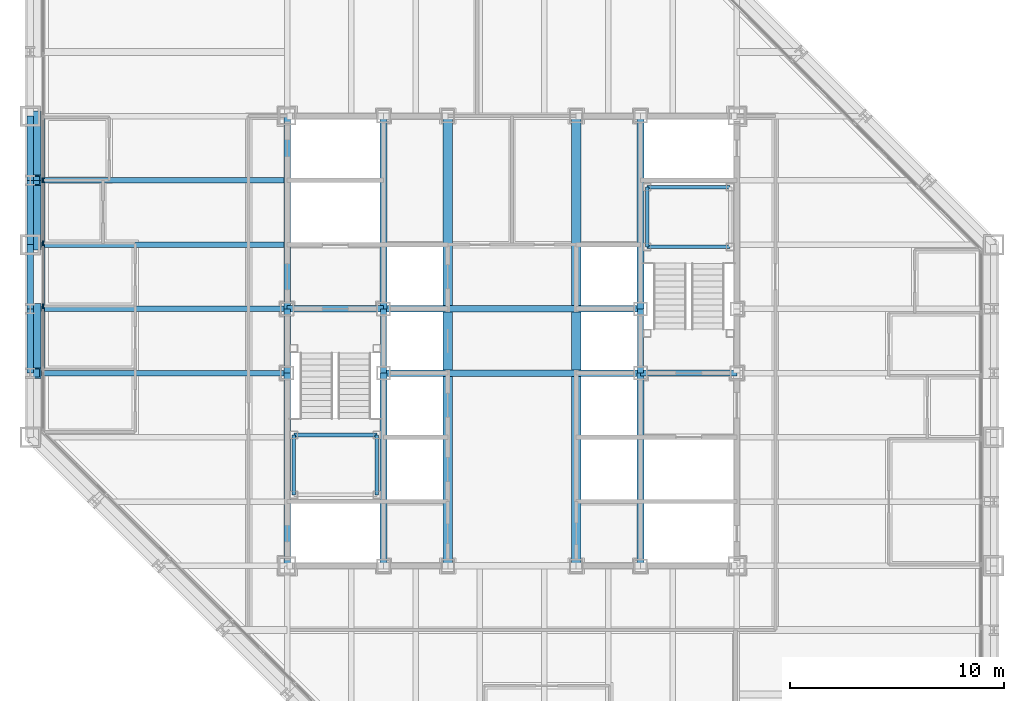
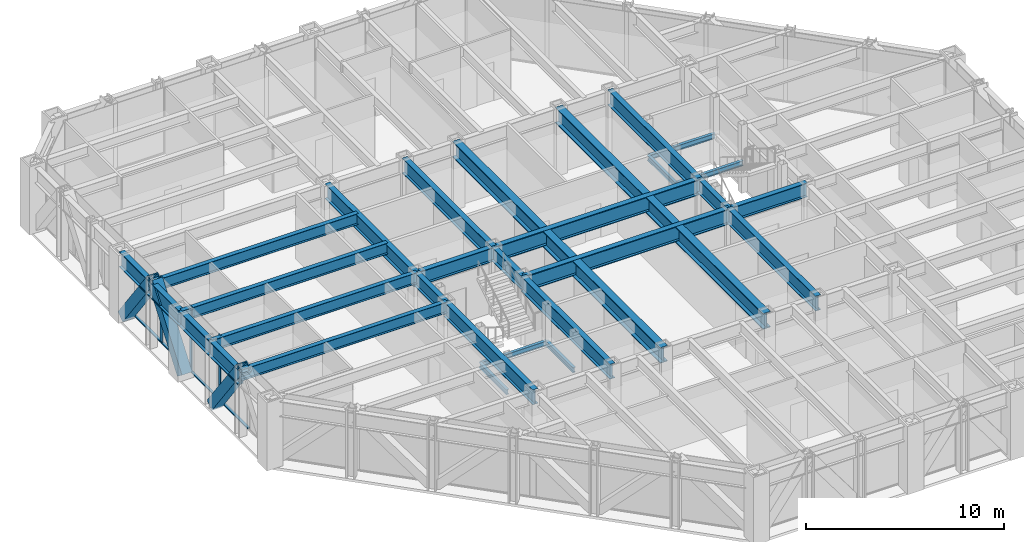
# One storey, part 5 of 16: 33 beams, 10 members, 1 element without a shape of its own.
"""IFC4 building model written with IfcOpenShell, lengths in metres."""

from ifc_helpers import new_model, si_unit, direction, frame, origin, origin_2d, place, context, subcontext, project, spatial, rectangle, hollow_rectangle, i_section, extrude, material, layer, layer_set, material_profile, profile_set, type_object, element, aggregate, save


model = new_model("IFC4")

# Units and contexts
model_context = context("Model", 3, precision=1e-05, world=origin(), true_north=direction((0.0, 1.0)))
body_context = subcontext(model_context, "Body", "Model", "MODEL_VIEW")
ifc_project = project(units=[si_unit("LENGTHUNIT", "METRE"), si_unit("AREAUNIT", "SQUARE_METRE"), si_unit("VOLUMEUNIT", "CUBIC_METRE"), si_unit("PLANEANGLEUNIT", "RADIAN"), si_unit("MASSUNIT", "GRAM", prefix="KILO")], contexts=[model_context])

# Site, building, storey
site_placement = place(None, origin())
site = spatial("IfcSite", under=ifc_project, at=site_placement, CompositionType="ELEMENT")
building_placement = place(site_placement, origin())
building = spatial("IfcBuilding", under=site, at=building_placement, Name="Chuquiago Exchange Tower", CompositionType="ELEMENT")
storey_placement = place(building_placement, frame((0.0, 0.0, 153.0)))
storey = spatial("IfcBuildingStorey", under=building, at=storey_placement, Name="L33", CompositionType="ELEMENT", Elevation=153.0)

# Beams
ifc_material_1 = material(Name="Steel ASTM A992", Category="steel")
ifc_material_profile_1 = material_profile(ifc_material_1, i_section(OverallWidth=0.25390625, OverallDepth=0.683349609375, WebThickness=0.012451171875, FlangeThickness=0.018798828125, at=origin_2d()), Name="W27X94")
ifc_profile_set_1 = profile_set([ifc_material_profile_1], Name="Steel ASTM A992")
beam_type_1 = type_object("IfcBeamType", Name="B1 W27X94", PredefinedType="BEAM", material=ifc_profile_set_1)
for number, where, z_axis, x_axis, name in (
    (1, (12.0, 21.0, 3.698486328125), (-1.0, 0.0, 0.0), (0.0, -1.0, 0.0), "FB-L34-infill-12_21--0_21-0"),
    (2, (12.0, 24.0, 3.698486328125), (-1.0, 0.0, 0.0), (0.0, -1.0, 0.0), "FB-L34-infill-12_24--0_24-0"),
    (3, (12.0, 27.0, 3.698486328125), (-1.0, 0.0, 0.0), (0.0, -1.0, 0.0), "FB-L34-infill-12_27--0_27-0"),
    (4, (12.0, 30.0, 3.698486328125), (-1.0, 0.0, 0.0), (0.0, -1.0, 0.0), "FB-L34-infill-12_30--0_30-0"),
):
    element("IfcBeam", number, at=place(storey_placement, frame(where, z_axis=z_axis, x_axis=x_axis)), inside=storey, type_object=beam_type_1, Name=name, PredefinedType="BEAM", context=body_context, shape_type="SweptSolid", body=[
        extrude(i_section(OverallWidth=0.25390625, OverallDepth=0.683349609375, WebThickness=0.012451171875, FlangeThickness=0.018798828125, at=origin_2d()), origin(), (0.0, 0.0, 1.0), 12.0),
    ])
ifc_material_2 = material(Name="Steel ASTM A992", Category="steel")
ifc_material_profile_2 = material_profile(ifc_material_2, i_section(OverallWidth=0.307373046875, OverallDepth=0.927001953125, WebThickness=0.01953125, FlangeThickness=0.031982421875, at=origin_2d()), Name="W36X194")
ifc_profile_set_2 = profile_set([ifc_material_profile_2], Name="Steel ASTM A992")
beam_type_2 = type_object("IfcBeamType", Name="B10 W36X194", PredefinedType="BEAM", material=ifc_profile_set_2)
for number, where, z_axis, x_axis, name in (
    (5, (12.0, 12.0, 3.576416015625), (0.0, 1.0, 0.0), (-1.0, 0.0, 0.0), "CB-L34-12_12-12_21"),
    (6, (12.0, 24.0, 3.576416015625), (0.0, 1.0, 0.0), (-1.0, 0.0, 0.0), "CB-L34-12_24-12_33"),
    (7, (16.5, 12.0, 3.576416015625), (0.0, 1.0, 0.0), (-1.0, 0.0, 0.0), "CB-L34-16.5_12-16.5_21"),
    (8, (16.5, 24.0, 3.576416015625), (0.0, 1.0, 0.0), (-1.0, 0.0, 0.0), "CB-L34-16.5_24-16.5_33"),
    (9, (28.5, 12.0, 3.576416015625), (0.0, 1.0, 0.0), (-1.0, 0.0, 0.0), "CB-L34-28.5_12-28.5_21"),
    (10, (28.5, 24.0, 3.576416015625), (0.0, 1.0, 0.0), (-1.0, 0.0, 0.0), "CB-L34-28.5_24-28.5_33"),
):
    element("IfcBeam", number, at=place(storey_placement, frame(where, z_axis=z_axis, x_axis=x_axis)), inside=storey, type_object=beam_type_2, Name=name, PredefinedType="BEAM", context=body_context, shape_type="SweptSolid", body=[
        extrude(i_section(OverallWidth=0.307373046875, OverallDepth=0.927001953125, WebThickness=0.01953125, FlangeThickness=0.031982421875, at=origin_2d()), origin(), (0.0, 0.0, 1.0), 9.0),
    ])
ifc_material_3 = material(Name="Steel ASTM A992", Category="steel")
ifc_material_profile_3 = material_profile(ifc_material_3, i_section(OverallWidth=0.309814453125, OverallDepth=0.949951171875, WebThickness=0.0244140625, FlangeThickness=0.0439453125, at=origin_2d()), Name="W36X256")
ifc_profile_set_3 = profile_set([ifc_material_profile_3], Name="Steel ASTM A992")
beam_type_3 = type_object("IfcBeamType", Name="B11 W36X256", PredefinedType="BEAM", material=ifc_profile_set_3)
for number, where, z_axis, x_axis, name in (
    (11, (16.5, 21.0, 3.56494140625), (1.0, 0.0, 0.0), (0.0, 1.0, 0.0), "CB-L34-16.5_21-28.5_21"),
    (12, (16.5, 24.0, 3.56494140625), (1.0, 0.0, 0.0), (0.0, 1.0, 0.0), "CB-L34-16.5_24-28.5_24"),
):
    element("IfcBeam", number, at=place(storey_placement, frame(where, z_axis=z_axis, x_axis=x_axis)), inside=storey, type_object=beam_type_3, Name=name, PredefinedType="BEAM", context=body_context, shape_type="SweptSolid", body=[
        extrude(i_section(OverallWidth=0.309814453125, OverallDepth=0.949951171875, WebThickness=0.0244140625, FlangeThickness=0.0439453125, at=origin_2d()), origin(), (0.0, 0.0, 1.0), 12.0),
    ])
ifc_material_4 = material(Name="Steel ASTM A992", Category="steel")
ifc_material_profile_4 = material_profile(ifc_material_4, i_section(OverallWidth=0.4267578125, OverallDepth=0.975341796875, WebThickness=0.031005859375, FlangeThickness=0.055908203125, at=origin_2d()), Name="W36X395")
ifc_profile_set_4 = profile_set([ifc_material_profile_4], Name="Steel ASTM A992")
beam_type_4 = type_object("IfcBeamType", Name="B12 W36X395", PredefinedType="BEAM", material=ifc_profile_set_4)
beam_1_placement = place(storey_placement, frame((19.5, 12.0, 3.55224609375), z_axis=(0.0, 1.0, 0.0), x_axis=(-1.0, 0.0, 0.0)))
element("IfcBeam", 13, at=beam_1_placement, inside=storey, type_object=beam_type_4, Name="CB-L34-19.5_12-19.5_20.8451", PredefinedType="BEAM", context=body_context, shape_type="SweptSolid", body=[
    extrude(i_section(OverallWidth=0.4267578125, OverallDepth=0.975341796875, WebThickness=0.031005859375, FlangeThickness=0.055908203125, at=origin_2d()), origin(), (0.0, 0.0, 1.0), 8.84521484375),
])
beam_2_placement = place(storey_placement, frame((19.5, 21.15478515625, 3.55224609375), z_axis=(0.0, 1.0, 0.0), x_axis=(-1.0, 0.0, 0.0)))
element("IfcBeam", 14, at=beam_2_placement, inside=storey, type_object=beam_type_4, Name="CB-L34-19.5_21.1549-19.5_23.8451", PredefinedType="BEAM", context=body_context, shape_type="SweptSolid", body=[
    extrude(i_section(OverallWidth=0.4267578125, OverallDepth=0.975341796875, WebThickness=0.031005859375, FlangeThickness=0.055908203125, at=origin_2d()), origin(), (0.0, 0.0, 1.0), 2.6904296875),
])
for number, where, z_axis, x_axis, name in (
    (15, (19.5, 24.15478515625, 3.55224609375), (0.0, 1.0, 0.0), (-1.0, 0.0, 0.0), "CB-L34-19.5_24.1549-19.5_33"),
    (16, (25.5, 12.0, 3.55224609375), (0.0, 1.0, 0.0), (-1.0, 0.0, 0.0), "CB-L34-25.5_12-25.5_20.8451"),
):
    element("IfcBeam", number, at=place(storey_placement, frame(where, z_axis=z_axis, x_axis=x_axis)), inside=storey, type_object=beam_type_4, Name=name, PredefinedType="BEAM", context=body_context, shape_type="SweptSolid", body=[
        extrude(i_section(OverallWidth=0.4267578125, OverallDepth=0.975341796875, WebThickness=0.031005859375, FlangeThickness=0.055908203125, at=origin_2d()), origin(), (0.0, 0.0, 1.0), 8.84521484375),
    ])
beam_3_placement = place(storey_placement, frame((25.5, 21.15478515625, 3.55224609375), z_axis=(0.0, 1.0, 0.0), x_axis=(-1.0, 0.0, 0.0)))
element("IfcBeam", 17, at=beam_3_placement, inside=storey, type_object=beam_type_4, Name="CB-L34-25.5_21.1549-25.5_23.8451", PredefinedType="BEAM", context=body_context, shape_type="SweptSolid", body=[
    extrude(i_section(OverallWidth=0.4267578125, OverallDepth=0.975341796875, WebThickness=0.031005859375, FlangeThickness=0.055908203125, at=origin_2d()), origin(), (0.0, 0.0, 1.0), 2.6904296875),
])
beam_4_placement = place(storey_placement, frame((25.5, 24.15478515625, 3.55224609375), z_axis=(0.0, 1.0, 0.0), x_axis=(-1.0, 0.0, 0.0)))
element("IfcBeam", 18, at=beam_4_placement, inside=storey, type_object=beam_type_4, Name="CB-L34-25.5_24.1549-25.5_33", PredefinedType="BEAM", context=body_context, shape_type="SweptSolid", body=[
    extrude(i_section(OverallWidth=0.4267578125, OverallDepth=0.975341796875, WebThickness=0.031005859375, FlangeThickness=0.055908203125, at=origin_2d()), origin(), (0.0, 0.0, 1.0), 8.84521484375),
])
ifc_material_5 = material(Name="Steel ASTM A992", Category="steel")
ifc_material_profile_5 = material_profile(ifc_material_5, i_section(OverallWidth=0.2919921875, OverallDepth=0.8583984375, WebThickness=0.01708984375, FlangeThickness=0.031005859375, at=origin_2d()), Name="W33X169")
ifc_profile_set_5 = profile_set([ifc_material_profile_5], Name="Steel ASTM A992")
beam_type_5 = type_object("IfcBeamType", Name="B3 W33X169", PredefinedType="BEAM", material=ifc_profile_set_5)
for number, where, z_axis, x_axis, name in (
    (19, (12.0, 21.0, 3.610595703125), (0.0, 1.0, 0.0), (-1.0, 0.0, 0.0), "CB-L34-12_21-12_24"),
    (20, (16.5, 21.0, 3.610595703125), (0.0, 1.0, 0.0), (-1.0, 0.0, 0.0), "CB-L34-16.5_21-16.5_24"),
    (21, (28.5, 21.0, 3.610595703125), (0.0, 1.0, 0.0), (-1.0, 0.0, 0.0), "CB-L34-28.5_21-28.5_24"),
):
    element("IfcBeam", number, at=place(storey_placement, frame(where, z_axis=z_axis, x_axis=x_axis)), inside=storey, type_object=beam_type_5, Name=name, PredefinedType="BEAM", context=body_context, shape_type="SweptSolid", body=[
        extrude(i_section(OverallWidth=0.2919921875, OverallDepth=0.8583984375, WebThickness=0.01708984375, FlangeThickness=0.031005859375, at=origin_2d()), origin(), (0.0, 0.0, 1.0), 3.0),
    ])
for number, where, z_axis, x_axis, name in (
    (22, (28.5, 21.0, 3.610595703125), (1.0, 0.0, 0.0), (0.0, 1.0, 0.0), "CB-L34-28.5_21-33_21"),
    (23, (12.0, 24.0, 3.610595703125), (1.0, 0.0, 0.0), (0.0, 1.0, 0.0), "CB-L34-12_24-16.5_24"),
):
    element("IfcBeam", number, at=place(storey_placement, frame(where, z_axis=z_axis, x_axis=x_axis)), inside=storey, type_object=beam_type_5, Name=name, PredefinedType="BEAM", context=body_context, shape_type="SweptSolid", body=[
        extrude(i_section(OverallWidth=0.2919921875, OverallDepth=0.8583984375, WebThickness=0.01708984375, FlangeThickness=0.031005859375, at=origin_2d()), origin(), (0.0, 0.0, 1.0), 4.5),
    ])

# Curtain wall, members
ifc_material_6 = material(Name="Aluminium curtain wall system", Category="aluminium")
ifc_layer = layer(ifc_material_6, 0.22509765625)
ifc_layer_set = layer_set([ifc_layer], Name="CW2 office curtain wall")
curtain_wall_type = type_object("IfcCurtainWallType", Name="CW2 office curtain wall", PredefinedType="NOTDEFINED", material=ifc_layer_set)
curtain_wall_placement = place(storey_placement, origin())
curtain_wall = element("IfcCurtainWall", 24, at=curtain_wall_placement, inside=storey, type_object=curtain_wall_type, Name="CW2 curtain wall L33", PredefinedType="NOTDEFINED")
ifc_material_7 = material(Name="Aluminium mullion, pale anodised", Category="aluminium")
ifc_material_profile_6 = material_profile(ifc_material_7, rectangle(XDim=0.06494140625, YDim=0.22509765625, at=origin_2d()), Name="AL 65x225")
ifc_profile_set_6 = profile_set([ifc_material_profile_6], Name="Aluminium mullion, pale anodised")
member_type_1 = type_object("IfcMemberType", Name="CW2-M mullion 65x225", PredefinedType="MULLION", material=ifc_profile_set_6)
member_1_placement = place(storey_placement, frame((0.60009765625, 30.0, 0.0), z_axis=(0.0, 0.0, 1.0), x_axis=(1.0, 0.0, 0.0)))
member_1 = element("IfcMember", 25, at=member_1_placement, type_object=member_type_1, Name="CW2 mullion 5", PredefinedType="MULLION", context=body_context, shape_type="SweptSolid", body=[
    extrude(rectangle(XDim=0.06494140625, YDim=0.22509765625, at=origin_2d()), origin(), (0.0, 0.0, 1.0), 4.0400390625),
])
member_2_placement = place(storey_placement, frame((0.60009765625, 27.06201171875, 0.0), z_axis=(0.0, 0.0, 1.0), x_axis=(1.0, 0.0, 0.0)))
member_2 = element("IfcMember", 26, at=member_2_placement, type_object=member_type_1, Name="CW2 mullion 6", PredefinedType="MULLION", context=body_context, shape_type="SweptSolid", body=[
    extrude(rectangle(XDim=0.06494140625, YDim=0.22509765625, at=origin_2d()), origin(), (0.0, 0.0, 1.0), 4.0400390625),
])
member_3_placement = place(storey_placement, frame((0.60009765625, 24.124267578125, 0.0), z_axis=(0.0, 0.0, 1.0), x_axis=(1.0, 0.0, 0.0)))
member_3 = element("IfcMember", 27, at=member_3_placement, type_object=member_type_1, Name="CW2 mullion 7", PredefinedType="MULLION", context=body_context, shape_type="SweptSolid", body=[
    extrude(rectangle(XDim=0.06494140625, YDim=0.22509765625, at=origin_2d()), origin(), (0.0, 0.0, 1.0), 4.0400390625),
])
ifc_material_8 = material(Name="Aluminium transom, pale anodised", Category="aluminium")
ifc_material_profile_7 = material_profile(ifc_material_8, rectangle(XDim=0.139892578125, YDim=0.06494140625, at=origin_2d()), Name="AL 140x65")
ifc_profile_set_7 = profile_set([ifc_material_profile_7], Name="Aluminium transom, pale anodised")
member_type_2 = type_object("IfcMemberType", Name="CW2-T transom 65x140", PredefinedType="MULLION", material=ifc_profile_set_7)
member_4_placement = place(storey_placement, frame((0.60009765625, 32.9052734375, 0.032470703125), z_axis=(0.0, -1.0, 0.0), x_axis=(1.0, 0.0, 0.0)))
member_4 = element("IfcMember", 28, at=member_4_placement, type_object=member_type_2, Name="CW2 transom 4.1", PredefinedType="MULLION", context=body_context, shape_type="SweptSolid", body=[
    extrude(rectangle(XDim=0.139892578125, YDim=0.06494140625, at=origin_2d()), origin(), (0.0, 0.0, 1.0), 2.872802734375),
])
member_5_placement = place(storey_placement, frame((0.60009765625, 29.967529296875, 0.032470703125), z_axis=(0.0, -1.0, 0.0), x_axis=(1.0, 0.0, 0.0)))
member_5 = element("IfcMember", 29, at=member_5_placement, type_object=member_type_2, Name="CW2 transom 5.1", PredefinedType="MULLION", context=body_context, shape_type="SweptSolid", body=[
    extrude(rectangle(XDim=0.139892578125, YDim=0.06494140625, at=origin_2d()), origin(), (0.0, 0.0, 1.0), 2.872802734375),
])
member_6_placement = place(storey_placement, frame((0.60009765625, 27.029541015625, 0.032470703125), z_axis=(0.0, -1.0, 0.0), x_axis=(1.0, 0.0, 0.0)))
member_6 = element("IfcMember", 30, at=member_6_placement, type_object=member_type_2, Name="CW2 transom 6.1", PredefinedType="MULLION", context=body_context, shape_type="SweptSolid", body=[
    extrude(rectangle(XDim=0.139892578125, YDim=0.06494140625, at=origin_2d()), origin(), (0.0, 0.0, 1.0), 2.872802734375),
])
member_7_placement = place(storey_placement, frame((0.60009765625, 24.091796875, 0.032470703125), z_axis=(0.0, -1.0, 0.0), x_axis=(1.0, 0.0, 0.0)))
member_7 = element("IfcMember", 31, at=member_7_placement, type_object=member_type_2, Name="CW2 transom 7.1", PredefinedType="MULLION", context=body_context, shape_type="SweptSolid", body=[
    extrude(rectangle(XDim=0.139892578125, YDim=0.06494140625, at=origin_2d()), origin(), (0.0, 0.0, 1.0), 2.872802734375),
])
aggregate(curtain_wall, [member_1, member_2, member_3, member_4, member_5, member_6, member_7])

# Beams
ifc_material_9 = material(Name="Steel ASTM A992", Category="steel")
ifc_material_profile_8 = material_profile(ifc_material_9, i_section(OverallWidth=0.164794921875, OverallDepth=0.309814453125, WebThickness=0.005859375, FlangeThickness=0.009765625, at=origin_2d()), Name="W12X26")
ifc_profile_set_8 = profile_set([ifc_material_profile_8], Name="Steel ASTM A992")
beam_type_6 = type_object("IfcBeamType", Name="LS1 W12X26", PredefinedType="BEAM", material=ifc_profile_set_8)
for number, where, z_axis, x_axis, name in (
    (32, (12.31005859375, 15.31005859375, 1.7451171875), (0.0, 1.0, 0.0), (-1.0, 0.0, 0.0), "Stair ST1 L33 landing 1 stringer"),
    (33, (16.18994140625, 15.31005859375, 1.7451171875), (0.0, 1.0, 0.0), (-1.0, 0.0, 0.0), "Stair ST1 L33 landing 1 stringer"),
    (34, (28.81005859375, 26.889892578125, 1.7451171875), (0.0, 1.0, 0.0), (-1.0, 0.0, 0.0), "Stair ST2 L33 landing 1 stringer"),
):
    element("IfcBeam", number, at=place(storey_placement, frame(where, z_axis=z_axis, x_axis=x_axis)), inside=storey, type_object=beam_type_6, Name=name, PredefinedType="BEAM", context=body_context, shape_type="SweptSolid", body=[
        extrude(i_section(OverallWidth=0.164794921875, OverallDepth=0.309814453125, WebThickness=0.005859375, FlangeThickness=0.009765625, at=origin_2d()), origin(), (0.0, 0.0, 1.0), 2.800048828125),
    ])
ifc_material_10 = material(Name="Steel ASTM A992", Category="steel")
ifc_material_profile_9 = material_profile(ifc_material_10, i_section(OverallWidth=0.164794921875, OverallDepth=0.309814453125, WebThickness=0.005859375, FlangeThickness=0.009765625, at=origin_2d()), Name="W12X26")
ifc_profile_set_9 = profile_set([ifc_material_profile_9], Name="Steel ASTM A992")
beam_type_7 = type_object("IfcBeamType", Name="LT1 W12X26", PredefinedType="BEAM", material=ifc_profile_set_9)
for number, where, z_axis, x_axis, name in (
    (35, (12.31005859375, 18.110107421875, 1.7451171875), (1.0, 0.0, 0.0), (0.0, 1.0, 0.0), "Stair ST1 L33 landing 1 trimmer"),
    (36, (28.81005859375, 29.68994140625, 1.7451171875), (1.0, 0.0, 0.0), (0.0, 1.0, 0.0), "Stair ST2 L33 landing 1 trimmer"),
    (37, (28.81005859375, 26.889892578125, 1.7451171875), (1.0, 0.0, 0.0), (0.0, 1.0, 0.0), "Stair ST2 L33 landing 1 trimmer"),
):
    element("IfcBeam", number, at=place(storey_placement, frame(where, z_axis=z_axis, x_axis=x_axis)), inside=storey, type_object=beam_type_7, Name=name, PredefinedType="BEAM", context=body_context, shape_type="SweptSolid", body=[
        extrude(i_section(OverallWidth=0.164794921875, OverallDepth=0.309814453125, WebThickness=0.005859375, FlangeThickness=0.009765625, at=origin_2d()), origin(), (0.0, 0.0, 1.0), 3.8798828125),
    ])

# Members
ifc_material_11 = material(Name="Steel ASTM A572 Grade 50", Category="steel")
ifc_material_profile_10 = material_profile(ifc_material_11, hollow_rectangle(XDim=0.60009765625, YDim=0.60009765625, WallThickness=0.06005859375, at=origin_2d()), Name="BOX600X600X60")
ifc_profile_set_10 = profile_set([ifc_material_profile_10], Name="Steel ASTM A572 Grade 50")
member_type_3 = type_object("IfcMemberType", Name="MB2 BOX600X600X60", PredefinedType="BRACE", material=ifc_profile_set_10)
for number, where, z_axis, x_axis, name in (
    (38, (0.205078125, 33.0, 0.0), (0.0, -0.596173923302, 0.802855312728), (1.0, 0.0, 0.0), "Mega diagonal L33 W face"),
    (39, (0.205078125, 27.0, 0.0), (0.0, 0.596173923302, 0.802855312728), (-1.0, 0.0, 0.0), "Mega diagonal L33 W face"),
    (40, (0.205078125, 24.0, 0.0), (0.0, -0.596173923302, 0.802855312728), (1.0, 0.0, 0.0), "Mega diagonal L33 W face"),
):
    element("IfcMember", number, at=place(storey_placement, frame(where, z_axis=z_axis, x_axis=x_axis)), inside=storey, type_object=member_type_3, Name=name, PredefinedType="BRACE", context=body_context, shape_type="SweptSolid", body=[
        extrude(hollow_rectangle(XDim=0.60009765625, YDim=0.60009765625, WallThickness=0.06005859375, at=origin_2d()), origin(), (0.0, 0.0, 1.0), 5.031982421875),
    ])

# Beams
ifc_material_12 = material(Name="Steel ASTM A992", Category="steel")
ifc_material_profile_11 = material_profile(ifc_material_12, i_section(OverallWidth=0.309814453125, OverallDepth=0.949951171875, WebThickness=0.0244140625, FlangeThickness=0.0439453125, at=origin_2d()), Name="W36X256")
ifc_profile_set_11 = profile_set([ifc_material_profile_11], Name="Steel ASTM A992")
beam_type_8 = type_object("IfcBeamType", Name="SP2 W36X256", PredefinedType="SPANDREL", material=ifc_profile_set_11)
for number, where, z_axis, x_axis, name in (
    (41, (0.0, 33.0, 3.56494140625), (0.0, -1.0, 0.0), (1.0, 0.0, 0.0), "SPB-L34-0_33-0_30"),
    (42, (0.0, 30.0, 3.56494140625), (0.0, -1.0, 0.0), (1.0, 0.0, 0.0), "SPB-L34-0_30-0_27"),
    (43, (0.0, 27.0, 3.56494140625), (0.0, -1.0, 0.0), (1.0, 0.0, 0.0), "SPB-L34-0_27-0_24"),
    (44, (0.0, 24.0, 3.56494140625), (0.0, -1.0, 0.0), (1.0, 0.0, 0.0), "SPB-L34-0_24-0_21"),
):
    element("IfcBeam", number, at=place(storey_placement, frame(where, z_axis=z_axis, x_axis=x_axis)), inside=storey, type_object=beam_type_8, Name=name, PredefinedType="SPANDREL", context=body_context, shape_type="SweptSolid", body=[
        extrude(i_section(OverallWidth=0.309814453125, OverallDepth=0.949951171875, WebThickness=0.0244140625, FlangeThickness=0.0439453125, at=origin_2d()), origin(), (0.0, 0.0, 1.0), 3.0),
    ])

save(model, "model.ifc")
